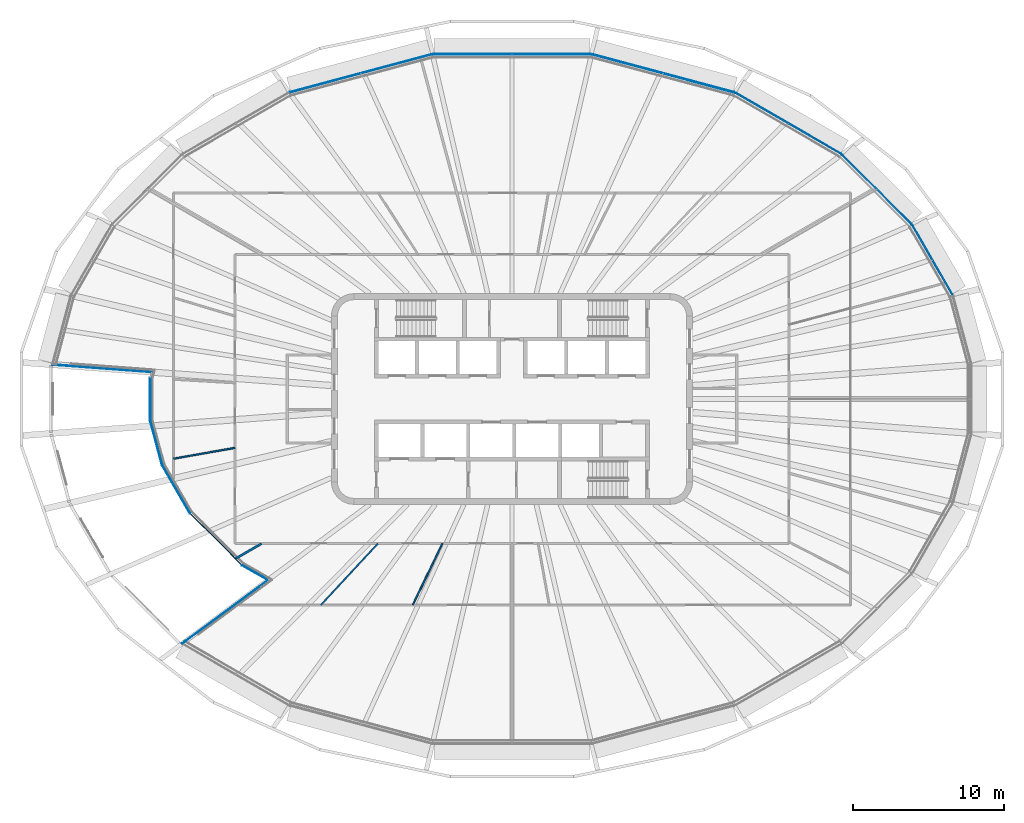
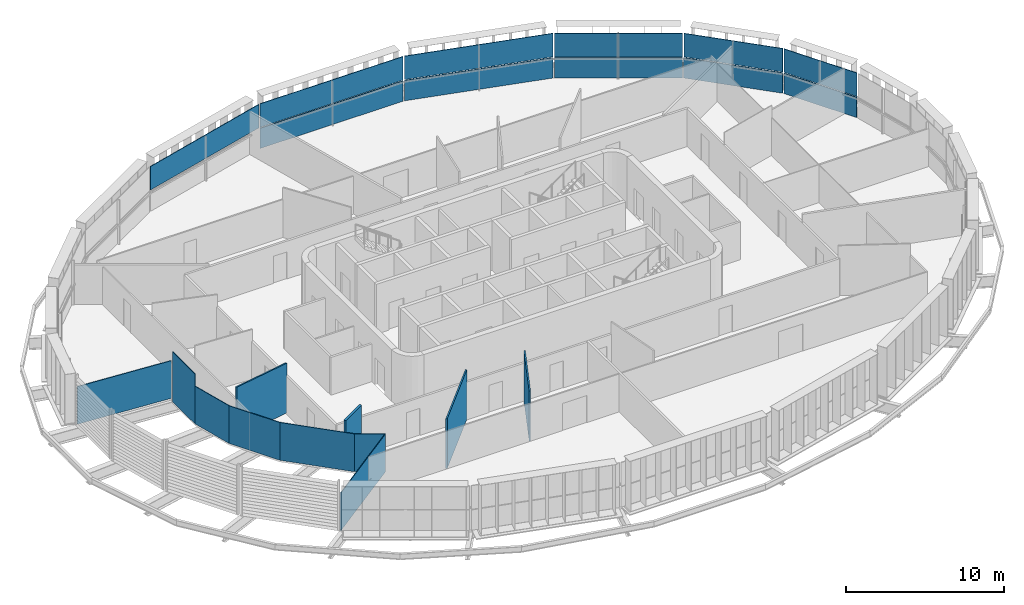
# One storey, part 9 of 20: 11 plates, 11 walls, 6 elements without a shape of their own.
"""IFC4 building model written with IfcOpenShell, lengths in metres."""

from ifc_helpers import new_model, si_unit, direction, frame, frame_2d, origin, place, context, subcontext, project, spatial, polyline, rectangle, outline, extrude, material, layer, layer_set, type_object, element, aggregate, save


model = new_model("IFC4")

# Units and contexts
model_context = context("Model", 3, precision=1e-05, world=origin(), true_north=direction((0.0, 1.0)))
body_context = subcontext(model_context, "Body", "Model", "MODEL_VIEW")
ifc_project = project(units=[si_unit("LENGTHUNIT", "METRE"), si_unit("AREAUNIT", "SQUARE_METRE"), si_unit("VOLUMEUNIT", "CUBIC_METRE"), si_unit("PLANEANGLEUNIT", "RADIAN"), si_unit("MASSUNIT", "GRAM", prefix="KILO")], contexts=[model_context])

# Site, building, storey
site_placement = place(None, origin())
site = spatial("IfcSite", under=ifc_project, at=site_placement, CompositionType="ELEMENT")
building_placement = place(site_placement, origin())
building = spatial("IfcBuilding", under=site, at=building_placement, Name="Sahrelin Media Tower", CompositionType="ELEMENT")
storey_placement = place(building_placement, frame((0.0, 0.0, 225.60009765625)))
storey = spatial("IfcBuildingStorey", under=building, at=storey_placement, Name="L48", CompositionType="ELEMENT", Elevation=225.60009765625)

# Curtain wall, plate
ifc_material_1 = material(Name="Champagne anodised aluminium 6063-T6", Category="aluminium")
ifc_layer_1 = layer(ifc_material_1, 0.14990234375)
ifc_layer_set_1 = layer_set([ifc_layer_1], Name="Tower ribbon curtain wall")
curtain_wall_type = type_object("IfcCurtainWallType", Name="Tower ribbon curtain wall", PredefinedType="NOTDEFINED", material=ifc_layer_set_1)
curtain_wall_1_placement = place(storey_placement, frame((27.927978515625, 9.235595703125, 0.0), z_axis=(0.0, 0.0, 1.0), x_axis=(1.0, 0.0, 0.0)))
curtain_wall_1 = element("IfcCurtainWall", 1, at=curtain_wall_1_placement, inside=storey, type_object=curtain_wall_type, Name="L48:CW:L48-02", PredefinedType="NOTDEFINED")
ifc_material_2 = material(Name="Clear low-iron glazing", Category="glass")
ifc_layer_2 = layer(ifc_material_2, 0.0439453125)
ifc_layer_set_2 = layer_set([ifc_layer_2], Name="Glazing panel 44 mm CW1B")
plate_type_1 = type_object("IfcPlateType", Name="Glazing panel 44 mm CW1B", PredefinedType="CURTAIN_PANEL", material=ifc_layer_set_2)
plate_1_placement = place(storey_placement, frame((29.276611328125, 6.939453125, 1.6298828125), z_axis=(0.866022994869, 0.500004172341, 0.0), x_axis=(-0.500004172341, 0.866022994869, 0.0)))
plate_1 = element("IfcPlate", 2, at=plate_1_placement, type_object=plate_type_1, Name="L48:CWP2:L48-02", PredefinedType="CURTAIN_PANEL", context=body_context, shape_type="SweptSolid", body=[
    extrude(outline(polyline([(0.0, 0.0), (5.326171875, 0.0), (5.326171875, 1.818603515625), (0.0, 1.818603515625), (0.0, 0.0)])), origin(), (0.0, 0.0, -1.0), 0.0439453125),
])

curtain_wall_2_placement = place(storey_placement, frame((24.240478515625, 13.916015625, 0.0), z_axis=(0.0, 0.0, 1.0), x_axis=(1.0, 0.0, 0.0)))
curtain_wall_2 = element("IfcCurtainWall", 3, at=curtain_wall_2_placement, inside=storey, type_object=curtain_wall_type, Name="L48:CW:L48-03", PredefinedType="NOTDEFINED")
plate_2_placement = place(storey_placement, frame((26.550048828125, 11.634765625, 1.6298828125), z_axis=(0.707125583467, 0.707087978406, 0.0), x_axis=(-0.707087978406, 0.707125583467, 0.0)))
plate_2 = element("IfcPlate", 4, at=plate_2_placement, type_object=plate_type_1, Name="L48:CWP2:L48-03", PredefinedType="CURTAIN_PANEL", context=body_context, shape_type="SweptSolid", body=[
    extrude(outline(polyline([(0.0, 0.0), (6.4921875, 0.0), (6.4921875, 1.818603515625), (0.0, 1.818603515625), (0.0, 0.0)])), origin(), (0.0, 0.0, -1.0), 0.0439453125),
])

curtain_wall_3_placement = place(storey_placement, frame((18.352294921875, 18.30078125, 0.0), z_axis=(0.0, 0.0, 1.0), x_axis=(1.0, 0.0, 0.0)))
curtain_wall_3 = element("IfcCurtainWall", 5, at=curtain_wall_3_placement, inside=storey, type_object=curtain_wall_type, Name="L48:CW:L48-04", PredefinedType="NOTDEFINED")
plate_3_placement = place(storey_placement, frame((21.876708984375, 16.2890625, 1.6298828125), z_axis=(0.499979373566, 0.866037312134, 0.0), x_axis=(-0.866037312134, 0.499979373566, 0.0)))
plate_3 = element("IfcPlate", 6, at=plate_3_placement, type_object=plate_type_1, Name="L48:CWP2:L48-04", PredefinedType="CURTAIN_PANEL", context=body_context, shape_type="SweptSolid", body=[
    extrude(outline(polyline([(0.0, 0.0), (8.115966796875, 0.0), (8.115966796875, 1.818603515625), (0.0, 1.818603515625), (0.0, 0.0)])), origin(), (0.0, 0.0, -1.0), 0.0439453125),
])

curtain_wall_4_placement = place(storey_placement, frame((10.039794921875, 21.62890625, 0.0), z_axis=(0.0, 0.0, 1.0), x_axis=(1.0, 0.0, 0.0)))
curtain_wall_4 = element("IfcCurtainWall", 7, at=curtain_wall_4_placement, inside=storey, type_object=curtain_wall_type, Name="L48:CW:L48-05", PredefinedType="NOTDEFINED")
plate_4_placement = place(storey_placement, frame((14.75146484375, 20.386962890625, 1.6298828125), z_axis=(0.258817898278, 0.965926133579, 0.0), x_axis=(-0.965926133579, 0.258817898278, 0.0)))
plate_4 = element("IfcPlate", 8, at=plate_4_placement, type_object=plate_type_1, Name="L48:CWP2:L48-05", PredefinedType="CURTAIN_PANEL", context=body_context, shape_type="SweptSolid", body=[
    extrude(outline(polyline([(0.0, 0.0), (9.7451171875, 0.0), (9.7451171875, 1.818603515625), (0.0, 1.818603515625), (0.0, 0.0)])), origin(), (0.0, 0.0, -1.0), 0.0439453125),
])

curtain_wall_5_placement = place(storey_placement, frame((0.0, 22.90283203125, 0.0), z_axis=(0.0, 0.0, 1.0), x_axis=(1.0, 0.0, 0.0)))
curtain_wall_5 = element("IfcCurtainWall", 9, at=curtain_wall_5_placement, inside=storey, type_object=curtain_wall_type, Name="L48:CW:L48-06", PredefinedType="NOTDEFINED")
plate_5_placement = place(storey_placement, frame((5.23486328125, 22.9228515625, 1.6298828125), z_axis=(0.0, 1.0, 0.0), x_axis=(-1.0, 0.0, 0.0)))
plate_5 = element("IfcPlate", 10, at=plate_5_placement, type_object=plate_type_1, Name="L48:CWP2:L48-06", PredefinedType="CURTAIN_PANEL", context=body_context, shape_type="SweptSolid", body=[
    extrude(outline(polyline([(0.0, 0.0), (10.4697265625, 0.0), (10.4697265625, 1.818603515625), (0.0, 1.818603515625), (0.0, 0.0)])), origin(), (0.0, 0.0, -1.0), 0.0439453125),
])

curtain_wall_6_placement = place(storey_placement, frame((-10.039794921875, 21.628662109375, 0.0), z_axis=(0.0, 0.0, 1.0), x_axis=(1.0, 0.0, 0.0)))
curtain_wall_6 = element("IfcCurtainWall", 11, at=curtain_wall_6_placement, inside=storey, type_object=curtain_wall_type, Name="L48:CW:L48-07", PredefinedType="NOTDEFINED")
plate_6_placement = place(storey_placement, frame((-5.33837890625, 22.9091796875, 1.6298828125), z_axis=(-0.258817898278, 0.965926133579, 0.0), x_axis=(-0.965926133579, -0.258817898278, 0.0)))
plate_6 = element("IfcPlate", 12, at=plate_6_placement, type_object=plate_type_1, Name="L48:CWP2:L48-07", PredefinedType="CURTAIN_PANEL", context=body_context, shape_type="SweptSolid", body=[
    extrude(outline(polyline([(0.0, 0.0), (9.7451171875, 0.0), (9.7451171875, 1.818603515625), (0.0, 1.818603515625), (0.0, 0.0)])), origin(), (0.0, 0.0, -1.0), 0.0439453125),
])
aggregate(curtain_wall_6, [plate_6])

# Plate
ifc_material_3 = material(Name="Insulated spandrel panel")
ifc_layer_3 = layer(ifc_material_3, 0.06005859375)
ifc_layer_set_3 = layer_set([ifc_layer_3], Name="Spandrel panel 60 mm CW1")
plate_type_2 = type_object("IfcPlateType", Name="Spandrel panel 60 mm CW1", PredefinedType="SHEET", material=ifc_layer_set_3)
plate_7_placement = place(storey_placement, frame((29.276611328125, 6.939453125, 0.0), z_axis=(0.866022994869, 0.500004172341, 0.0), x_axis=(-0.500004172341, 0.866022994869, 0.0)))
plate_7 = element("IfcPlate", 13, at=plate_7_placement, type_object=plate_type_2, Name="L48:CWP1:L48-02", PredefinedType="SHEET", context=body_context, shape_type="SweptSolid", body=[
    extrude(outline(polyline([(0.0, 0.0), (5.326171875, 0.0), (5.326171875, 1.56982421875), (0.0, 1.56982421875), (0.0, 0.0)])), origin(), (0.0, 0.0, -1.0), 0.06005859375),
])

aggregate(curtain_wall_1, [plate_7, plate_1])

plate_8_placement = place(storey_placement, frame((26.550048828125, 11.634765625, 0.0), z_axis=(0.707125583467, 0.707087978406, 0.0), x_axis=(-0.707087978406, 0.707125583467, 0.0)))
plate_8 = element("IfcPlate", 14, at=plate_8_placement, type_object=plate_type_2, Name="L48:CWP1:L48-03", PredefinedType="SHEET", context=body_context, shape_type="SweptSolid", body=[
    extrude(outline(polyline([(0.0, 0.0), (6.4921875, 0.0), (6.4921875, 1.56982421875), (0.0, 1.56982421875), (0.0, 0.0)])), origin(), (0.0, 0.0, -1.0), 0.06005859375),
])

aggregate(curtain_wall_2, [plate_8, plate_2])

plate_9_placement = place(storey_placement, frame((21.876708984375, 16.2890625, 0.0), z_axis=(0.499979373566, 0.866037312134, 0.0), x_axis=(-0.866037312134, 0.499979373566, 0.0)))
plate_9 = element("IfcPlate", 15, at=plate_9_placement, type_object=plate_type_2, Name="L48:CWP1:L48-04", PredefinedType="SHEET", context=body_context, shape_type="SweptSolid", body=[
    extrude(outline(polyline([(0.0, 0.0), (8.115966796875, 0.0), (8.115966796875, 1.56982421875), (0.0, 1.56982421875), (0.0, 0.0)])), origin(), (0.0, 0.0, -1.0), 0.06005859375),
])

aggregate(curtain_wall_3, [plate_9, plate_3])

plate_10_placement = place(storey_placement, frame((14.75146484375, 20.386962890625, 0.0), z_axis=(0.258817898278, 0.965926133579, 0.0), x_axis=(-0.965926133579, 0.258817898278, 0.0)))
plate_10 = element("IfcPlate", 16, at=plate_10_placement, type_object=plate_type_2, Name="L48:CWP1:L48-05", PredefinedType="SHEET", context=body_context, shape_type="SweptSolid", body=[
    extrude(outline(polyline([(0.0, 0.0), (9.7451171875, 0.0), (9.7451171875, 1.56982421875), (0.0, 1.56982421875), (0.0, 0.0)])), origin(), (0.0, 0.0, -1.0), 0.06005859375),
])

aggregate(curtain_wall_4, [plate_10, plate_4])

plate_11_placement = place(storey_placement, frame((5.23486328125, 22.9228515625, 0.0), z_axis=(0.0, 1.0, 0.0), x_axis=(-1.0, 0.0, 0.0)))
plate_11 = element("IfcPlate", 17, at=plate_11_placement, type_object=plate_type_2, Name="L48:CWP1:L48-06", PredefinedType="SHEET", context=body_context, shape_type="SweptSolid", body=[
    extrude(outline(polyline([(0.0, 0.0), (10.4697265625, 0.0), (10.4697265625, 1.56982421875), (0.0, 1.56982421875), (0.0, 0.0)])), origin(), (0.0, 0.0, -1.0), 0.06005859375),
])

aggregate(curtain_wall_5, [plate_11, plate_5])

# Walls
ifc_material_4 = material(Name="Fire-rated gypsum board partition")
ifc_layer_4 = layer(ifc_material_4, 0.14990234375)
ifc_layer_set_4 = layer_set([ifc_layer_4], Name="Fire-rated partition 150")
wall_type_1 = type_object("IfcWallType", Name="Fire-rated partition 150", PredefinedType="PARTITIONING", material=ifc_layer_set_4)
wall_1_placement = place(storey_placement, frame((-18.362060546875, -10.60205078125, 0.0), z_axis=(0.0, 0.0, 1.0), x_axis=(0.865998815133, 0.500046050067, 0.0)))
element("IfcWall", 18, at=wall_1_placement, inside=storey, type_object=wall_type_1, Name="Wall", PredefinedType="PARTITIONING", context=body_context, shape_type="SweptSolid", body=[
    extrude(rectangle(XDim=2.002685546875, YDim=0.14990234375, at=frame_2d((1.00146484375, 0.0))), origin(), (0.0, 0.0, 1.0), 3.849853515625),
])
ifc_material_5 = material(Name="Clear glass", Category="glass")
ifc_layer_5 = layer(ifc_material_5, 0.050048828125)
ifc_layer_set_5 = layer_set([ifc_layer_5], Name="Glazed partition 50")
wall_type_2 = type_object("IfcWallType", Name="Glazed partition 50", PredefinedType="PARTITIONING", material=ifc_layer_set_5)
wall_2_placement = place(storey_placement, frame((-24.01904296875, -1.424072265625, 0.0), z_axis=(0.0, 0.0, 1.0), x_axis=(0.259054071109, -0.965862820613, 0.0)))
element("IfcWall", 19, at=wall_2_placement, inside=storey, type_object=wall_type_2, Name="Wall", PredefinedType="PARTITIONING", context=body_context, shape_type="SweptSolid", body=[
    extrude(rectangle(XDim=3.05712890625, YDim=0.050048828125, at=frame_2d((1.528564453125, 0.0))), origin(), (0.0, 0.0, 1.0), 2.918212890625),
])
wall_3_placement = place(storey_placement, frame((-23.22705078125, -4.376953125, 0.0), z_axis=(0.0, 0.0, 1.0), x_axis=(0.49991400307, -0.866075048442, 0.0)))
element("IfcWall", 20, at=wall_3_placement, inside=storey, type_object=wall_type_2, Name="Wall", PredefinedType="PARTITIONING", context=body_context, shape_type="SweptSolid", body=[
    extrude(rectangle(XDim=3.714599609375, YDim=0.050048828125, at=frame_2d((1.857421875, 0.0))), origin(), (0.0, 0.0, 1.0), 2.918212890625),
])
wall_4_placement = place(storey_placement, frame((-21.3701171875, -7.593994140625, 0.0), z_axis=(0.0, 0.0, 1.0), x_axis=(0.70713179248, -0.707081769008, 0.0)))
element("IfcWall", 21, at=wall_4_placement, inside=storey, type_object=wall_type_2, Name="Wall", PredefinedType="PARTITIONING", context=body_context, shape_type="SweptSolid", body=[
    extrude(rectangle(XDim=4.880615234375, YDim=0.050048828125, at=frame_2d((2.4404296875, 0.0))), origin(), (0.0, 0.0, 1.0), 2.927001953125),
])
wall_5_placement = place(storey_placement, frame((-17.9189453125, -11.044921875, 0.0), z_axis=(0.0, 0.0, 1.0), x_axis=(0.865868664307, -0.500271382523, 0.0)))
element("IfcWall", 22, at=wall_5_placement, inside=storey, type_object=wall_type_2, Name="Wall", PredefinedType="PARTITIONING", context=body_context, shape_type="SweptSolid", body=[
    extrude(rectangle(XDim=1.96337890625, YDim=0.050048828125, at=frame_2d((0.981689453125, 0.0))), origin(), (0.0, 0.0, 1.0), 2.927001953125),
])
wall_6_placement = place(storey_placement, frame((-30.51904296875, 2.280029296875, 0.0), z_axis=(0.0, 0.0, 1.0), x_axis=(0.997221144943, -0.074498242124, 0.0)))
element("IfcWall", 23, at=wall_6_placement, inside=storey, type_object=wall_type_2, Name="Wall", PredefinedType="PARTITIONING", context=body_context, shape_type="SweptSolid", body=[
    extrude(rectangle(XDim=6.616455078125, YDim=0.050048828125, at=frame_2d((3.30810546875, 0.0))), origin(), (0.0, 0.0, 1.0), 2.918212890625),
])
wall_7_placement = place(storey_placement, frame((-21.909912109375, -16.2470703125, 0.0), z_axis=(0.0, 0.0, 1.0), x_axis=(0.803238431987, 0.595657637724, 0.0)))
element("IfcWall", 24, at=wall_7_placement, inside=storey, type_object=wall_type_2, Name="Wall", PredefinedType="PARTITIONING", context=body_context, shape_type="SweptSolid", body=[
    extrude(rectangle(XDim=7.0849609375, YDim=0.050048828125, at=frame_2d((3.54248046875, 0.0))), origin(), (0.0, 0.0, 1.0), 2.927001953125),
])
wall_8_placement = place(storey_placement, frame((-24.01904296875, -1.424072265625, 0.0), z_axis=(0.0, 0.0, 1.0), x_axis=(0.0, 1.0, 0.0)))
element("IfcWall", 25, at=wall_8_placement, inside=storey, type_object=wall_type_2, Name="Wall", PredefinedType="PARTITIONING", context=body_context, shape_type="SweptSolid", body=[
    extrude(rectangle(XDim=2.84814453125, YDim=0.050048828125, at=frame_2d((1.424072265625, 0.0))), origin(), (0.0, 0.0, 1.0), 3.849853515625),
])
ifc_material_6 = material(Name="Gypsum board partition")
ifc_layer_6 = layer(ifc_material_6, 0.10009765625)
ifc_layer_set_6 = layer_set([ifc_layer_6], Name="Partition 100")
wall_type_3 = type_object("IfcWallType", Name="Partition 100", PredefinedType="PARTITIONING", material=ifc_layer_set_6)
wall_9_placement = place(storey_placement, frame((-22.47998046875, -3.964111328125, 0.0), z_axis=(0.0, 0.0, 1.0), x_axis=(0.984825650465, 0.173546645561, 0.0)))
element("IfcWall", 26, at=wall_9_placement, inside=storey, type_object=wall_type_3, Name="Wall", PredefinedType="PARTITIONING", context=body_context, shape_type="SweptSolid", body=[
    extrude(rectangle(XDim=4.14306640625, YDim=0.10009765625, at=frame_2d((2.071533203125, 0.0))), origin(), (0.0, 0.0, 1.0), 3.849853515625),
])
wall_10_placement = place(storey_placement, frame((-12.693115234375, -13.679931640625, 0.0), z_axis=(0.0, 0.0, 1.0), x_axis=(0.680136385704, 0.733085599942, 0.0)))
element("IfcWall", 27, at=wall_10_placement, inside=storey, type_object=wall_type_3, Name="Wall", PredefinedType="PARTITIONING", context=body_context, shape_type="SweptSolid", body=[
    extrude(rectangle(XDim=5.565185546875, YDim=0.10009765625, at=frame_2d((2.78271484375, 0.0))), origin(), (0.0, 0.0, 1.0), 3.849853515625),
])
wall_11_placement = place(storey_placement, frame((-6.587890625, -13.679931640625, 0.0), z_axis=(0.0, 0.0, 1.0), x_axis=(0.43390153131, 0.900960299418, 0.0)))
element("IfcWall", 28, at=wall_11_placement, inside=storey, type_object=wall_type_3, Name="Wall", PredefinedType="PARTITIONING", context=body_context, shape_type="SweptSolid", body=[
    extrude(rectangle(XDim=4.5283203125, YDim=0.10009765625, at=frame_2d((2.26416015625, 0.0))), origin(), (0.0, 0.0, 1.0), 3.849853515625),
])

save(model, "model.ifc")
